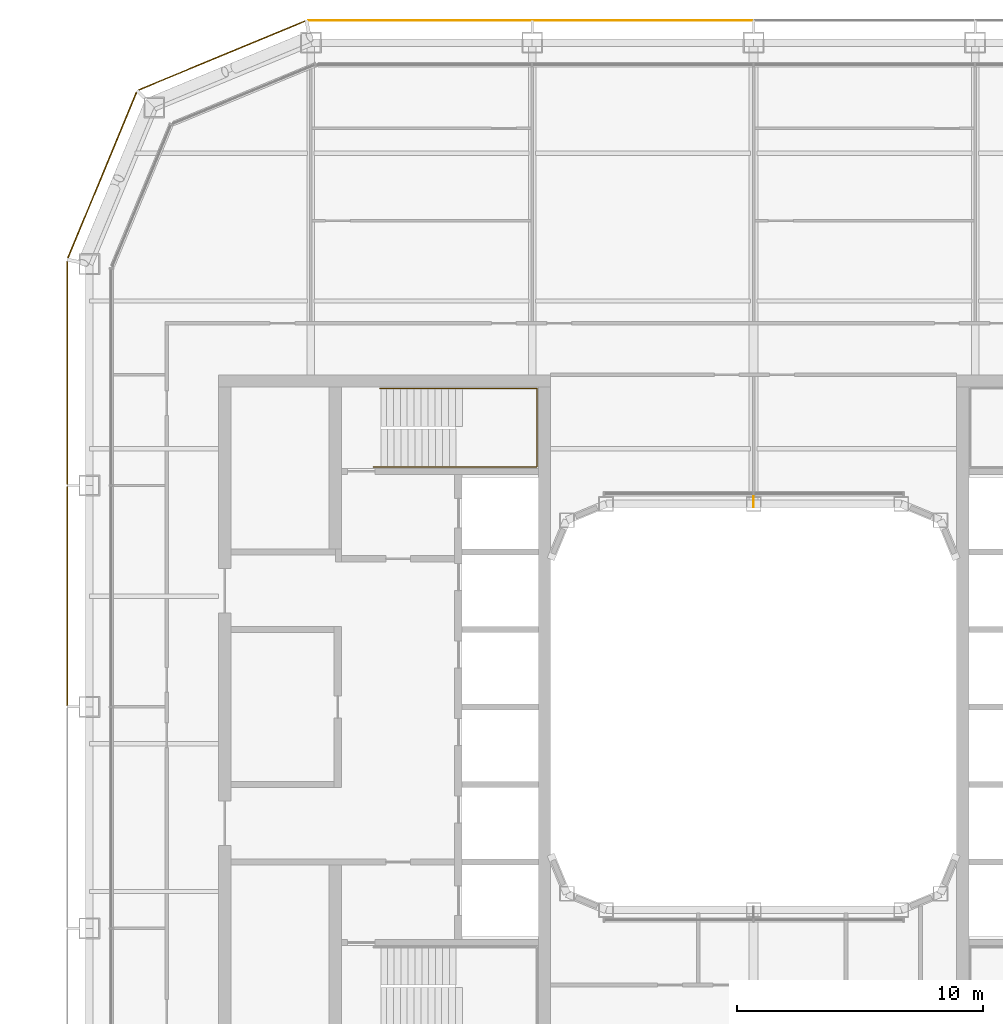
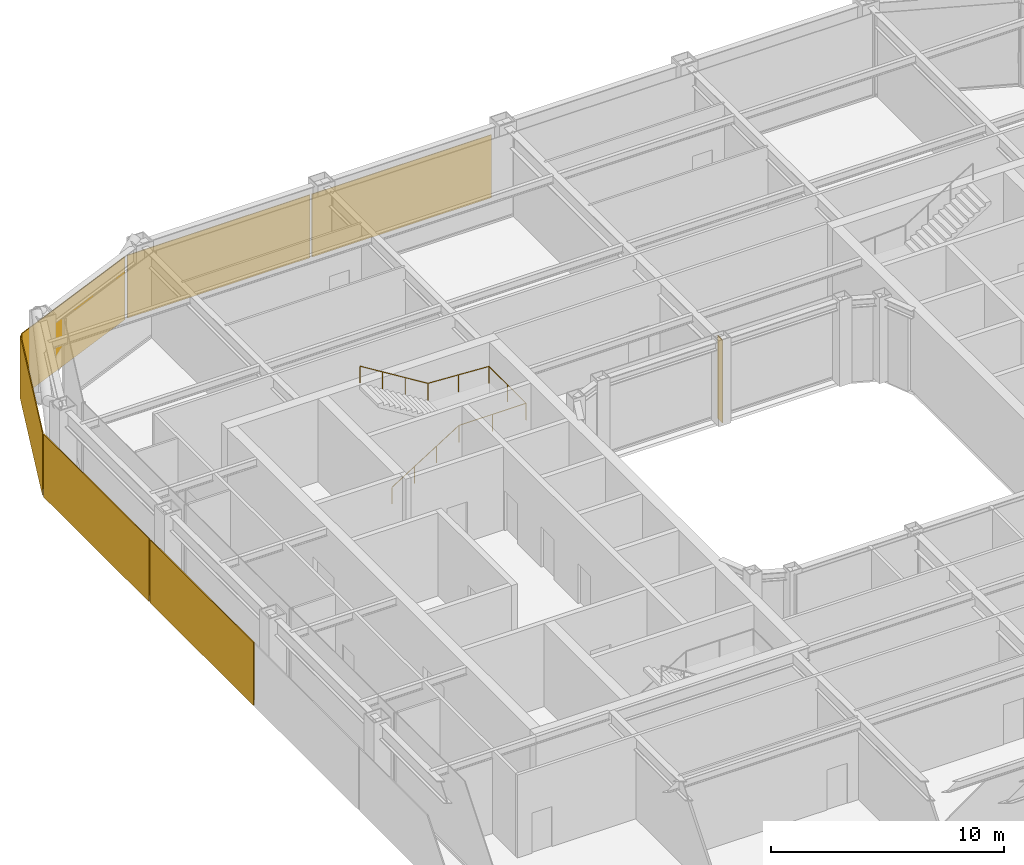
# One storey, part 21 of 23: 6 coverings, 1 railing, 1 shading device.
"""IFC4 building model written with IfcOpenShell, lengths in metres."""

from ifc_helpers import new_model, si_unit, direction, frame, origin, origin_2d, place, context, subcontext, project, spatial, rectangle, circle, extrude, material, layer, layer_set, type_object, element, save


model = new_model("IFC4")

# Units and contexts
model_context = context("Model", 3, precision=1e-05, world=origin(), true_north=direction((0.0, 1.0)))
body_context = subcontext(model_context, "Body", "Model", "MODEL_VIEW")
ifc_project = project(units=[si_unit("LENGTHUNIT", "METRE"), si_unit("AREAUNIT", "SQUARE_METRE"), si_unit("VOLUMEUNIT", "CUBIC_METRE"), si_unit("PLANEANGLEUNIT", "RADIAN"), si_unit("MASSUNIT", "GRAM", prefix="KILO")], contexts=[model_context])

# Site, building, storey
site_placement = place(None, origin())
site = spatial("IfcSite", under=ifc_project, at=site_placement, CompositionType="ELEMENT")
building_placement = place(site_placement, origin())
building = spatial("IfcBuilding", under=site, at=building_placement, Name="Siwar Civic Tower", CompositionType="ELEMENT")
storey_placement = place(building_placement, frame((0.0, 0.0, 233.199951171875)))
storey = spatial("IfcBuildingStorey", under=building, at=storey_placement, Name="L50", CompositionType="ELEMENT", Elevation=233.199951171875)

# Railing
ifc_material_1 = material(Name="Stainless steel", Category="steel")
railing_type = type_object("IfcRailingType", Name="CORE-STAIR-HANDRAIL", PredefinedType="HANDRAIL", material=ifc_material_1)
railing_placement = place(storey_placement, frame((-15.449951171875, 9.758056640625, 0.173095703125)))
element("IfcRailing", 1, at=railing_placement, inside=storey, type_object=railing_type, Name="Stair handrail ST1", PredefinedType="HANDRAIL", context=body_context, shape_type="SweptSolid", body=[
    extrude(circle(Radius=0.02001953125, at=origin_2d()), frame((0.0, 0.0, 0.8798828125), z_axis=(0.847063342986, 0.0, 0.531491950051), x_axis=(0.0, 1.0, 0.0)), (0.0, 0.0, 1.0), 3.90771484375),
    extrude(circle(Radius=0.02001953125, at=origin_2d()), frame((3.31005859375, 0.0, 2.956787109375), z_axis=(1.0, 0.0, 0.0), x_axis=(0.0, 1.0, 0.0)), (0.0, 0.0, 1.0), 3.331787109375),
    extrude(circle(Radius=0.02001953125, at=origin_2d()), frame((6.641845703125, 0.0, 2.956787109375), z_axis=(0.0, 1.0, 0.0), x_axis=(-1.0, 0.0, 0.0)), (0.0, 0.0, 1.0), 3.183837890625),
    extrude(circle(Radius=0.02001953125, at=origin_2d()), frame((6.641845703125, 3.183837890625, 2.956787109375), z_axis=(-0.99837434197, 0.0, 0.056997134106), x_axis=(0.0, -1.0, 0.0)), (0.0, 0.0, 1.0), 3.036865234375),
    extrude(circle(Radius=0.02001953125, at=origin_2d()), frame((3.60986328125, 3.183837890625, 3.1298828125), z_axis=(-0.850606129759, 0.0, 0.525803396734), x_axis=(0.0, -1.0, 0.0)), (0.0, 0.0, 1.0), 3.949951171875),
    extrude(circle(Radius=0.02001953125, at=origin_2d()), origin(), (0.0, 0.0, 1.0), 0.85986328125),
    extrude(circle(Radius=0.02001953125, at=origin_2d()), frame((1.103271484375, 0.0, 0.6923828125)), (0.0, 0.0, 1.0), 0.85986328125),
    extrude(circle(Radius=0.02001953125, at=origin_2d()), frame((2.206787109375, 0.0, 1.384521484375)), (0.0, 0.0, 1.0), 0.85986328125),
    extrude(circle(Radius=0.02001953125, at=origin_2d()), frame((3.31005859375, 0.0, 2.076904296875)), (0.0, 0.0, 1.0), 0.85986328125),
    extrude(circle(Radius=0.02001953125, at=origin_2d()), frame((4.97607421875, 0.0, 2.076904296875)), (0.0, 0.0, 1.0), 0.85986328125),
    extrude(circle(Radius=0.02001953125, at=origin_2d()), frame((6.641845703125, 0.0, 2.076904296875)), (0.0, 0.0, 1.0), 0.85986328125),
    extrude(circle(Radius=0.02001953125, at=origin_2d()), frame((6.641845703125, 1.591796875, 2.076904296875)), (0.0, 0.0, 1.0), 0.85986328125),
    extrude(circle(Radius=0.02001953125, at=origin_2d()), frame((6.641845703125, 3.183837890625, 2.076904296875)), (0.0, 0.0, 1.0), 0.85986328125),
    extrude(circle(Radius=0.02001953125, at=origin_2d()), frame((5.1259765625, 3.183837890625, 2.16357421875)), (0.0, 0.0, 1.0), 0.85986328125),
    extrude(circle(Radius=0.02001953125, at=origin_2d()), frame((3.60986328125, 3.183837890625, 2.25)), (0.0, 0.0, 1.0), 0.85986328125),
    extrude(circle(Radius=0.02001953125, at=origin_2d()), frame((2.489990234375, 3.183837890625, 2.9423828125)), (0.0, 0.0, 1.0), 0.85986328125),
    extrude(circle(Radius=0.02001953125, at=origin_2d()), frame((1.369873046875, 3.183837890625, 3.634521484375)), (0.0, 0.0, 1.0), 0.85986328125),
    extrude(circle(Radius=0.02001953125, at=origin_2d()), frame((0.25, 3.183837890625, 4.326904296875)), (0.0, 0.0, 1.0), 0.85986328125),
])

# Shading device
ifc_material_2 = material(Name="Aluminium 6063-T6", Category="aluminium")
ifc_layer_1 = layer(ifc_material_2, 0.02001953125)
ifc_layer_set_1 = layer_set([ifc_layer_1], Name="Aluminium 6063-T6")
shading_device_type = type_object("IfcShadingDeviceType", Name="ENV-FIN", PredefinedType="JALOUSIE", material=ifc_layer_set_1)
shading_device_placement = place(storey_placement, frame((0.0, 8.344970703125, 0.0), z_axis=(0.0, 0.0, 1.0), x_axis=(-1.0, 0.0, 0.0)))
element("IfcShadingDevice", 2, at=shading_device_placement, inside=storey, type_object=shading_device_type, Name="SUNSHADE fin WN 1", PredefinedType="JALOUSIE", context=body_context, shape_type="SweptSolid", body=[
    extrude(rectangle(XDim=0.02001953125, YDim=0.449951171875, at=origin_2d()), origin(), (0.0, 0.0, 1.0), 4.35009765625),
])

# Coverings
ifc_material_3 = material(Name="Perforated aluminium cassette, pale metal", Category="aluminium")
ifc_layer_2 = layer(ifc_material_3, 0.0400390625)
ifc_layer_set_2 = layer_set([ifc_layer_2], Name="Perforated aluminium cassette, pale metal")
covering_type_1 = type_object("IfcCoveringType", Name="ENV-OUTER SKIN OS-1", PredefinedType="CLADDING", material=ifc_layer_set_2)
covering_1_placement = place(storey_placement, frame((-4.5, 27.89990234375, -0.14990234375), z_axis=(0.0, 0.0, 1.0), x_axis=(-1.0, 0.0, 0.0)))
element("IfcCovering", 3, at=covering_1_placement, inside=storey, type_object=covering_type_1, Name="OUTER SKIN OS-1 N 3", PredefinedType="CLADDING", context=body_context, shape_type="SweptSolid", body=[
    extrude(rectangle(XDim=8.89990234375, YDim=0.0400390625, at=origin_2d()), origin(), (0.0, 0.0, 1.0), 3.300048828125),
])
covering_2_placement = place(storey_placement, frame((-13.57958984375, 27.89990234375, -0.14990234375), z_axis=(0.0, 0.0, 1.0), x_axis=(-1.0, 0.0, 0.0)))
element("IfcCovering", 4, at=covering_2_placement, inside=storey, type_object=covering_type_1, Name="OUTER SKIN OS-1 N 4", PredefinedType="CLADDING", context=body_context, shape_type="SweptSolid", body=[
    extrude(rectangle(XDim=9.05908203125, YDim=0.0400390625, at=origin_2d()), origin(), (0.0, 0.0, 1.0), 3.300048828125),
])
covering_3_placement = place(storey_placement, frame((-21.615966796875, 26.476318359375, -0.14990234375), z_axis=(0.0, 0.0, 1.0), x_axis=(-0.923879532511, -0.382683432365, 0.0)))
element("IfcCovering", 5, at=covering_3_placement, inside=storey, type_object=covering_type_1, Name="OUTER SKIN OS-1 NW1 1", PredefinedType="CLADDING", context=body_context, shape_type="SweptSolid", body=[
    extrude(rectangle(XDim=7.300048828125, YDim=0.0400390625, at=origin_2d()), origin(), (0.0, 0.0, 1.0), 3.300048828125),
])
ifc_material_4 = material(Name="Perforated aluminium cassette, pale metal", Category="aluminium")
ifc_layer_3 = layer(ifc_material_4, 0.044921875)
ifc_layer_set_3 = layer_set([ifc_layer_3], Name="Perforated aluminium cassette, pale metal")
covering_type_2 = type_object("IfcCoveringType", Name="ENV-OUTER SKIN OS-2", PredefinedType="CLADDING", material=ifc_layer_set_3)
covering_4_placement = place(storey_placement, frame((-26.476318359375, 21.615966796875, -0.14990234375), z_axis=(0.0, 0.0, 1.0), x_axis=(-0.382683432365, -0.923879532511, 0.0)))
element("IfcCovering", 6, at=covering_4_placement, inside=storey, type_object=covering_type_2, Name="OUTER SKIN OS-2 NW2 1", PredefinedType="CLADDING", context=body_context, shape_type="SweptSolid", body=[
    extrude(rectangle(XDim=7.300048828125, YDim=0.044921875, at=origin_2d()), origin(), (0.0, 0.0, 1.0), 3.300048828125),
])
ifc_material_5 = material(Name="Perforated aluminium cassette, pale metal", Category="aluminium")
ifc_layer_4 = layer(ifc_material_5, 0.050048828125)
ifc_layer_set_4 = layer_set([ifc_layer_4], Name="Perforated aluminium cassette, pale metal")
covering_type_3 = type_object("IfcCoveringType", Name="ENV-OUTER SKIN OS-3", PredefinedType="CLADDING", material=ifc_layer_set_4)
covering_5_placement = place(storey_placement, frame((-27.89990234375, 13.57958984375, -0.14990234375), z_axis=(0.0, 0.0, 1.0), x_axis=(0.0, -1.0, 0.0)))
element("IfcCovering", 7, at=covering_5_placement, inside=storey, type_object=covering_type_3, Name="OUTER SKIN OS-3 W 1", PredefinedType="CLADDING", context=body_context, shape_type="SweptSolid", body=[
    extrude(rectangle(XDim=9.05908203125, YDim=0.050048828125, at=origin_2d()), origin(), (0.0, 0.0, 1.0), 3.300048828125),
])
covering_6_placement = place(storey_placement, frame((-27.89990234375, 4.5, -0.14990234375), z_axis=(0.0, 0.0, 1.0), x_axis=(0.0, -1.0, 0.0)))
element("IfcCovering", 8, at=covering_6_placement, inside=storey, type_object=covering_type_3, Name="OUTER SKIN OS-3 W 2", PredefinedType="CLADDING", context=body_context, shape_type="SweptSolid", body=[
    extrude(rectangle(XDim=8.89990234375, YDim=0.050048828125, at=origin_2d()), origin(), (0.0, 0.0, 1.0), 3.300048828125),
])

save(model, "model.ifc")
